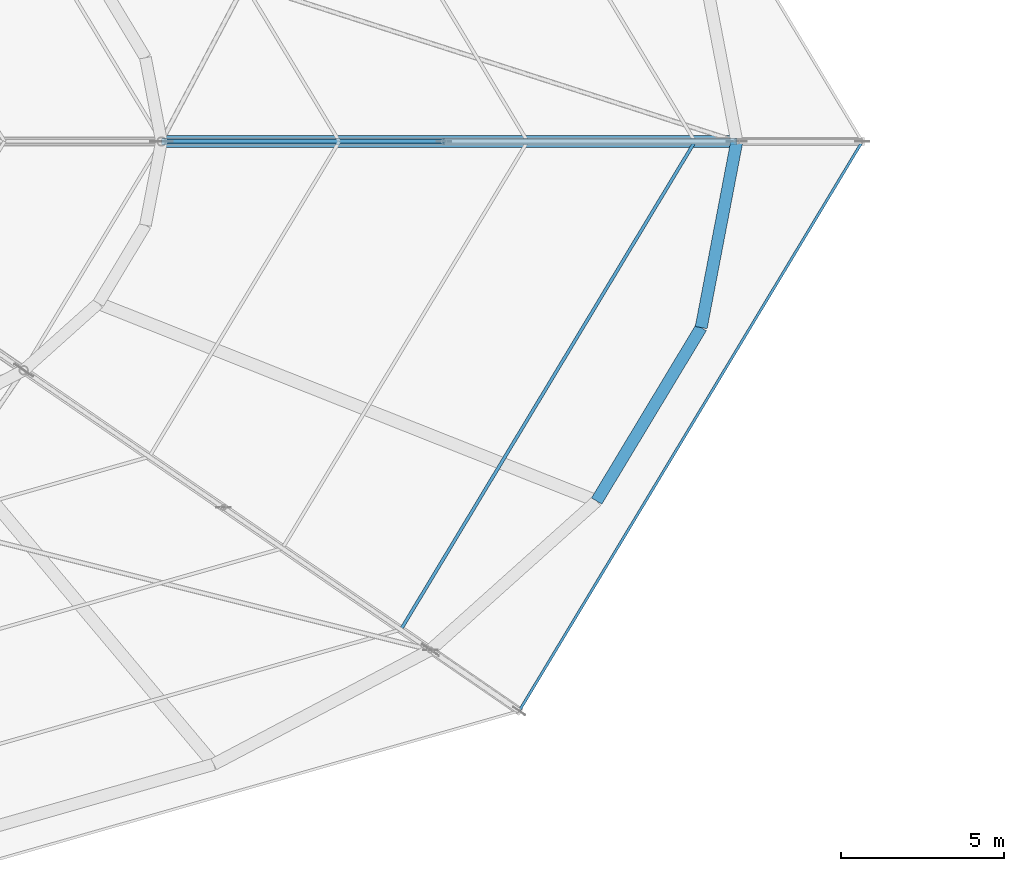
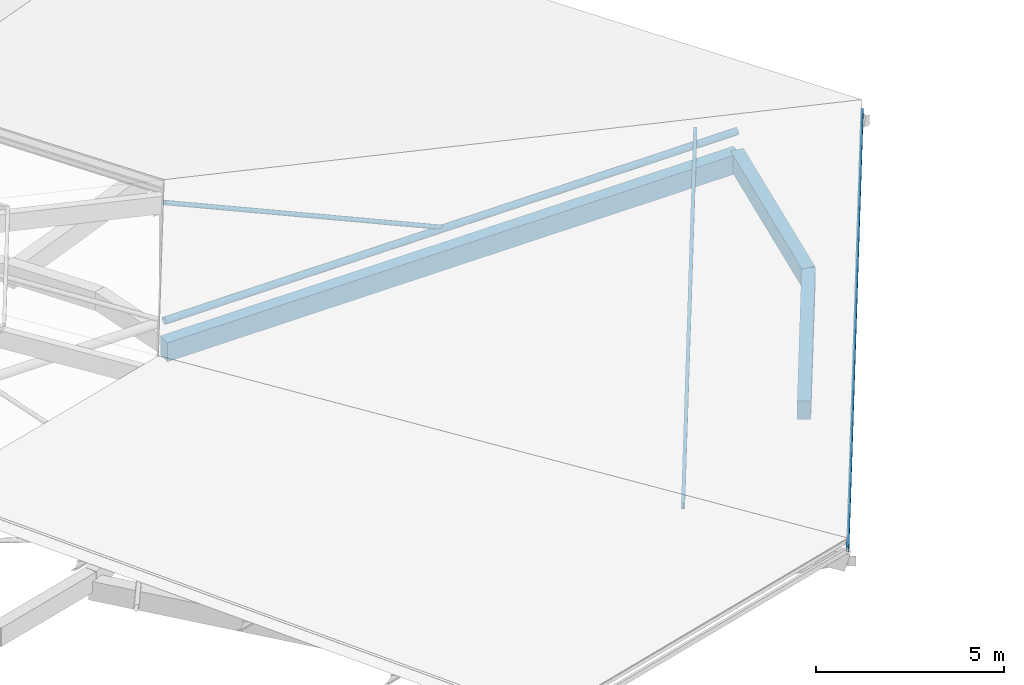
# One storey, part 30 of 66: 4 members, 3 beams.
"""IFC4 building model written with IfcOpenShell, lengths in metres."""

from ifc_helpers import new_model, si_unit, direction, frame, origin, origin_2d, place, context, subcontext, project, spatial, rectangle, hollow_rectangle, hollow_circle, i_section, extrude, material, material_profile, profile_set, type_object, element, save


model = new_model("IFC4")

# Units and contexts
model_context = context("Model", 3, precision=1e-05, world=origin(), true_north=direction((0.0, 1.0)))
body_context = subcontext(model_context, "Body", "Model", "MODEL_VIEW")
ifc_project = project(units=[si_unit("LENGTHUNIT", "METRE"), si_unit("AREAUNIT", "SQUARE_METRE"), si_unit("VOLUMEUNIT", "CUBIC_METRE"), si_unit("PLANEANGLEUNIT", "RADIAN"), si_unit("MASSUNIT", "GRAM", prefix="KILO")], contexts=[model_context])

# Site, building, storey
site_placement = place(None, origin())
site = spatial("IfcSite", under=ifc_project, at=site_placement, CompositionType="ELEMENT")
building_placement = place(site_placement, origin())
building = spatial("IfcBuilding", under=site, at=building_placement, Name="Zornivar Specialist Clinic", CompositionType="ELEMENT")
storey_placement = place(building_placement, frame((0.0, 0.0, 16.0)))
storey = spatial("IfcBuildingStorey", under=building, at=storey_placement, Name="L04", CompositionType="ELEMENT", Elevation=16.0)

# Beams
ifc_material_1 = material(Name="Concrete C30/37", Category="concrete")
ifc_material_profile_1 = material_profile(ifc_material_1, rectangle(XDim=0.3798828125, YDim=0.6201171875, at=origin_2d()), Name="RC 380x620")
ifc_profile_set_1 = profile_set([ifc_material_profile_1], Name="Concrete C30/37")
beam_type_1 = type_object("IfcBeamType", Name="BM-RC-CANT-380x620", PredefinedType="BEAM", material=ifc_profile_set_1)
beam_1_placement = place(storey_placement, frame((108.0, 57.60009765625, -0.550048828125), z_axis=(1.0, 0.0, 0.0), x_axis=(0.0, 1.0, 0.0)))
element("IfcBeam", 1, at=beam_1_placement, inside=storey, type_object=beam_type_1, Name="bm:V1:L04:radcant:00", PredefinedType="BEAM", context=body_context, shape_type="SweptSolid", body=[
    extrude(rectangle(XDim=0.3798828125, YDim=0.6201171875, at=origin_2d()), origin(), (0.0, 0.0, 1.0), 17.60009765625),
])
ifc_material_2 = material(Name="Concrete C30/37", Category="concrete")
ifc_material_profile_2 = material_profile(ifc_material_2, rectangle(XDim=0.3701171875, YDim=0.60009765625, at=origin_2d()), Name="RC 370x600")
ifc_profile_set_2 = profile_set([ifc_material_profile_2], Name="Concrete C30/37")
beam_type_2 = type_object("IfcBeamType", Name="BM-RC-SPANDREL-370x600", PredefinedType="SPANDREL", material=ifc_profile_set_2)
beam_2_placement = place(storey_placement, frame((121.31298828125, 46.60009765625, -0.5400390625), z_axis=(0.516094506256, 0.856531646007, 0.0), x_axis=(-0.856531646007, 0.516094506256, 0.0)))
element("IfcBeam", 2, at=beam_2_placement, inside=storey, type_object=beam_type_2, Name="bm:V1:L04:outring:22", PredefinedType="SPANDREL", context=body_context, shape_type="SweptSolid", body=[
    extrude(rectangle(XDim=0.3701171875, YDim=0.60009765625, at=origin_2d()), origin(), (0.0, 0.0, 1.0), 6.194580078125),
])
beam_3_placement = place(storey_placement, frame((124.510009765625, 51.906005859375, -0.5400390625), z_axis=(0.188027327263, 0.982163797033, 0.0), x_axis=(-0.982163797033, 0.188027327263, 0.0)))
element("IfcBeam", 3, at=beam_3_placement, inside=storey, type_object=beam_type_2, Name="bm:V1:L04:outring:23", PredefinedType="SPANDREL", context=body_context, shape_type="SweptSolid", body=[
    extrude(rectangle(XDim=0.3701171875, YDim=0.60009765625, at=origin_2d()), origin(), (0.0, 0.0, 1.0), 5.797607421875),
])

# Members
ifc_material_3 = material(Name="Steel S355J2", Category="steel")
ifc_material_profile_3 = material_profile(ifc_material_3, hollow_circle(Radius=0.109619140625, WallThickness=0.012451171875, at=origin_2d()), Name="CHS 219.1x12.5")
ifc_profile_set_3 = profile_set([ifc_material_profile_3], Name="Steel S355J2")
member_type_1 = type_object("IfcMemberType", Name="MEM-CHORD-CHS219", PredefinedType="CHORD", material=ifc_profile_set_3)
member_1_placement = place(storey_placement, frame((125.60009765625, 57.60009765625, 0.360107421875), z_axis=(-1.0, 0.0, 0.0), x_axis=(0.0, -1.0, 0.0)))
element("IfcMember", 4, at=member_1_placement, inside=storey, type_object=member_type_1, Name="mem:V1:L04:rtie:0", PredefinedType="CHORD", context=body_context, shape_type="SweptSolid", body=[
    extrude(hollow_circle(Radius=0.109619140625, WallThickness=0.012451171875, at=origin_2d()), origin(), (0.0, 0.0, 1.0), 17.60009765625),
])
ifc_material_4 = material(Name="Steel S355J2", Category="steel")
ifc_material_profile_4 = material_profile(ifc_material_4, hollow_circle(Radius=0.06982421875, WallThickness=0.008056640625, at=origin_2d()), Name="CHS 139.7x8")
ifc_profile_set_4 = profile_set([ifc_material_profile_4], Name="Steel S355J2")
member_type_2 = type_object("IfcMemberType", Name="MEM-DIAG-CHS140", PredefinedType="BRACE", material=ifc_profile_set_4)
member_2_placement = place(storey_placement, frame((116.639892578125, 57.60009765625, 0.360107421875), z_axis=(-0.913652848142, 0.0, 0.406495354319), x_axis=(0.0, -1.0, 0.0)))
element("IfcMember", 5, at=member_2_placement, inside=storey, type_object=member_type_2, Name="mem:V1:L04:diag2:0", PredefinedType="BRACE", context=body_context, shape_type="SweptSolid", body=[
    extrude(hollow_circle(Radius=0.06982421875, WallThickness=0.008056640625, at=origin_2d()), origin(), (0.0, 0.0, 1.0), 9.45654296875),
])
ifc_material_5 = material(Name="Steel S355J2", Category="steel")
ifc_material_profile_5 = material_profile(ifc_material_5, hollow_rectangle(XDim=0.080078125, YDim=0.159912109375, WallThickness=0.008056640625, at=origin_2d()), Name="RHS 160x80x8")
ifc_profile_set_5 = profile_set([ifc_material_profile_5], Name="Steel S355J2")
member_type_3 = type_object("IfcMemberType", Name="MEM-EAVE-RHS160", PredefinedType="USERDEFINED", material=ifc_profile_set_5)
member_3_placement = place(storey_placement, frame((118.94189453125, 40.177001953125, -0.3359375), z_axis=(0.516092206974, 0.856533031412, 0.0), x_axis=(-0.856533031412, 0.516092206974, 0.0)))
element("IfcMember", 6, at=member_3_placement, inside=storey, type_object=member_type_3, Name="mem:V1:L04:purl:7:00", ObjectType="EAVE RAFTER", PredefinedType="USERDEFINED", context=body_context, shape_type="SweptSolid", body=[
    extrude(hollow_rectangle(XDim=0.080078125, YDim=0.159912109375, WallThickness=0.008056640625, at=origin_2d()), origin(), (0.0, 0.0, 1.0), 20.34130859375),
])
ifc_material_6 = material(Name="Steel S355J2", Category="steel")
ifc_material_profile_6 = material_profile(ifc_material_6, i_section(OverallWidth=0.10009765625, OverallDepth=0.199951171875, WebThickness=0.005615234375, FlangeThickness=0.008544921875, FilletRadius=0.011962890625, at=origin_2d()), Name="IPE 200")
ifc_profile_set_6 = profile_set([ifc_material_profile_6], Name="Steel S355J2")
member_type_4 = type_object("IfcMemberType", Name="MEM-PURLIN-IPE200", PredefinedType="PURLIN", material=ifc_profile_set_6)
member_4_placement = place(storey_placement, frame((115.322021484375, 42.666015625, 0.8349609375), z_axis=(0.51608046635, 0.856540105454, 0.0), x_axis=(-0.856540105454, 0.51608046635, 0.0)))
element("IfcMember", 7, at=member_4_placement, inside=storey, type_object=member_type_4, Name="mem:V1:L04:purl:7:01", PredefinedType="PURLIN", context=body_context, shape_type="SweptSolid", body=[
    extrude(i_section(OverallWidth=0.10009765625, OverallDepth=0.199951171875, WebThickness=0.005615234375, FlangeThickness=0.008544921875, FilletRadius=0.011962890625, at=origin_2d()), origin(), (0.0, 0.0, 1.0), 17.435302734375),
])

save(model, "model.ifc")
